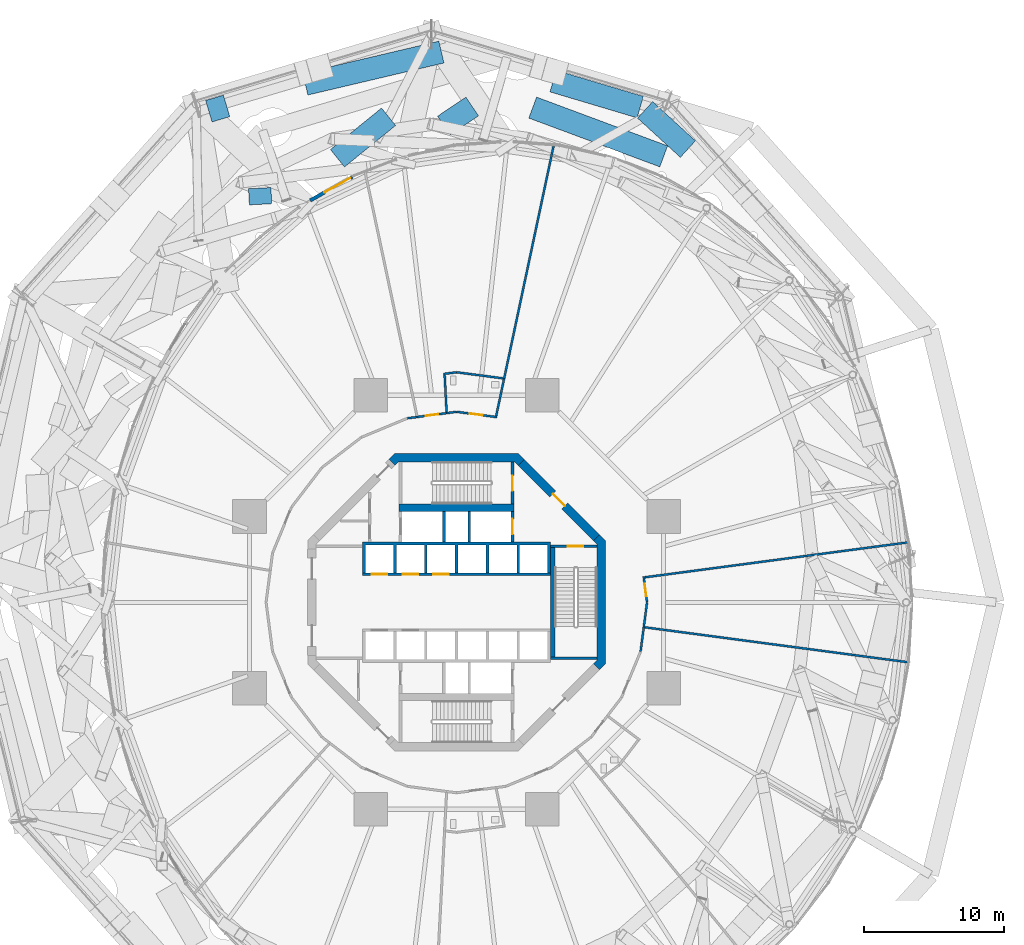
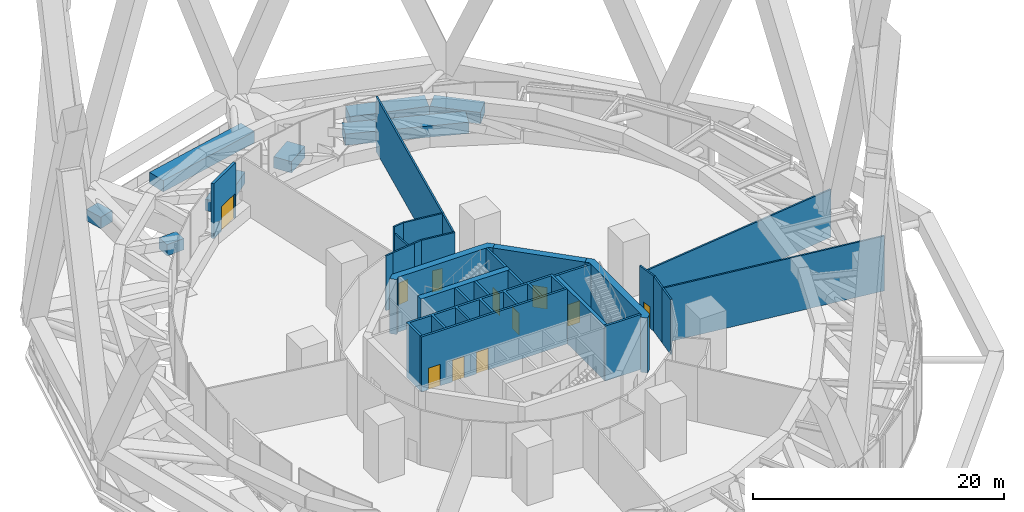
# One storey, part 41 of 51: 36 walls, 11 doors, 11 openings.
"""IFC4 building model written with IfcOpenShell, lengths in metres."""

import ifcopenshell
import ifcopenshell.guid

model = None  # the IFC model being written
_history = None  # IfcOwnerHistory: only IFC2X3 demands one
_inside = {}  # id of a spatial element -> (the spatial element, [elements in it])
_under = {}  # id of a project, library or spatial element -> (it, [spatial elements below it])
_declared = {}  # id of a project -> (the project, [libraries it declares])
_typed = {}  # id of a type object -> (the type object, [elements of that type])
_made_of = {}  # id of a material, layer set ... -> (it, [elements and type objects made of it])


def new_model(schema):
    """Start an empty IFC model of exactly this schema.

    Asked for "IFC4X3", IfcOpenShell would pick the latest addendum, in which some entities
    have other attributes; the version numbers below select the first issue.
    IFC2X3 requires an IfcOwnerHistory on every rooted entity: one is made here for all.
    """
    global model, _history
    if schema == "IFC4X3":
        model = ifcopenshell.file(schema_version=(4, 3, 0, 0))
    else:
        model = ifcopenshell.file(schema=schema)
    _inside.clear()
    _under.clear()
    _declared.clear()
    _typed.clear()
    _made_of.clear()
    _history = None
    if model.schema == "IFC2X3":
        org = make("IfcOrganization", Name="unknown")
        user = make(
            "IfcPersonAndOrganization",
            ThePerson=make("IfcPerson", FamilyName="unknown"),
            TheOrganization=org,
        )
        app = make(
            "IfcApplication",
            ApplicationDeveloper=org,
            Version="unknown",
            ApplicationFullName="unknown",
            ApplicationIdentifier="unknown",
        )
        _history = make(
            "IfcOwnerHistory",
            OwningUser=user,
            OwningApplication=app,
            ChangeAction="ADDED",
            CreationDate=0,
        )
    return model


def make(cls, **values):
    """One entity of the class cls with the attributes given. An attribute that is None is left unset."""
    return model.create_entity(
        cls, **{name: value for name, value in values.items() if value is not None}
    )


def rooted(cls, **values):
    """An entity with a GlobalId (a new one), such as an element, a storey or a relation."""
    return make(cls, GlobalId=ifcopenshell.guid.new(), OwnerHistory=_history, **values)


def si_unit(unit_type, name, prefix=None):
    """IfcSIUnit, for example si_unit("LENGTHUNIT", "METRE", prefix="MILLI")."""
    return make("IfcSIUnit", UnitType=unit_type, Prefix=prefix, Name=name)


def assignment(units):
    """IfcUnitAssignment: the units of a project."""
    return None if units is None else make("IfcUnitAssignment", Units=units)


def point(xyz):
    """IfcCartesianPoint."""
    return None if xyz is None else make("IfcCartesianPoint", Coordinates=xyz)


def direction(xyz):
    """IfcDirection."""
    return None if xyz is None else make("IfcDirection", DirectionRatios=xyz)


def frame(location, z_axis=None, x_axis=None):
    """IfcAxis2Placement3D, a coordinate frame: its origin and axes. An axis left out is left unset."""
    return make(
        "IfcAxis2Placement3D",
        Location=point(location),
        Axis=direction(z_axis),
        RefDirection=direction(x_axis),
    )


def frame_2d(location, x_axis=None):
    """IfcAxis2Placement2D, a coordinate frame in the plane: its origin and x axis."""
    return make(
        "IfcAxis2Placement2D", Location=point(location), RefDirection=direction(x_axis)
    )


def origin():
    """The frame at (0, 0, 0) with its axes left unset."""
    return frame((0.0, 0.0, 0.0))


def place(relative_to, where):
    """IfcLocalPlacement: puts the frame where relative to a parent placement (None: the world)."""
    return make(
        "IfcLocalPlacement", PlacementRelTo=relative_to, RelativePlacement=where
    )


def context(
    kind, dimensions, precision=None, world=None, true_north=None, identifier=None
):
    """IfcGeometricRepresentationContext, for example the 3D "Model" context."""
    return make(
        "IfcGeometricRepresentationContext",
        ContextIdentifier=identifier,
        ContextType=kind,
        CoordinateSpaceDimension=dimensions,
        Precision=precision,
        WorldCoordinateSystem=world,
        TrueNorth=true_north,
    )


def subcontext(parent, identifier, kind, view, scale=None):
    """IfcGeometricRepresentationSubContext, for example "Body" below "Model"."""
    return make(
        "IfcGeometricRepresentationSubContext",
        ContextIdentifier=identifier,
        ContextType=kind,
        ParentContext=parent,
        TargetScale=scale,
        TargetView=view,
    )


def project(units=None, contexts=None):
    """IfcProject with its units and contexts."""
    return rooted(
        "IfcProject",
        Name="project",
        RepresentationContexts=contexts,
        UnitsInContext=assignment(units),
    )


def spatial(cls, under=None, at=None, **own):
    """A site, building, storey or space (cls), placed at a placement, below another one or the project."""
    s = rooted(cls, ObjectPlacement=at, **own)
    if under is not None:
        _under.setdefault(under.id(), (under, []))[1].append(s)
    return s


def polyline(points):
    """IfcPolyline through the points."""
    return make("IfcPolyline", Points=[point(p) for p in points])


def profile(cls, at=None, kind="AREA", **sizes):
    """A parametric profile (cls). Its sizes go by their IFC names, for example OverallWidth=200.0."""
    return make(cls, ProfileType=kind, Position=at, **sizes)


def rectangle(**sizes):
    """IfcRectangleProfileDef."""
    return profile("IfcRectangleProfileDef", **sizes)


def outline(outer, holes=None, kind="AREA"):
    """IfcArbitraryClosedProfileDef: a profile drawn as a closed curve; with holes, ...WithVoids."""
    if holes is None:
        return make("IfcArbitraryClosedProfileDef", ProfileType=kind, OuterCurve=outer)
    return make(
        "IfcArbitraryProfileDefWithVoids",
        ProfileType=kind,
        OuterCurve=outer,
        InnerCurves=holes,
    )


def extrude(swept, where, along, depth):
    """IfcExtrudedAreaSolid: the profile swept, set in the frame where, extruded along a direction by depth."""
    return make(
        "IfcExtrudedAreaSolid",
        SweptArea=swept,
        Position=where,
        ExtrudedDirection=direction(along),
        Depth=depth,
    )


def shape(context_of_items, identifier, shape_type, items):
    """IfcShapeRepresentation: the items that make up one representation, for example the "Body"."""
    return make(
        "IfcShapeRepresentation",
        ContextOfItems=context_of_items,
        RepresentationIdentifier=identifier,
        RepresentationType=shape_type,
        Items=items,
    )


def material(Name=None, Category=None):
    """IfcMaterial."""
    return make("IfcMaterial", Name=Name, Category=Category)


def layer(
    of_material, thickness, ventilated=None, Name=None, Category=None, Priority=None
):
    """IfcMaterialLayer: one layer of a wall or slab, of a material (None: an air gap)."""
    return make(
        "IfcMaterialLayer",
        Material=of_material,
        LayerThickness=thickness,
        IsVentilated=ventilated,
        Name=Name,
        Category=Category,
        Priority=Priority,
    )


def layer_set(layers, Name=None):
    """IfcMaterialLayerSet."""
    return make("IfcMaterialLayerSet", MaterialLayers=layers, LayerSetName=Name)


def made_of(thing, what):
    """Note that an element or type object is made of a material, layer set ...; save() writes the relation."""
    if what is not None:
        _made_of.setdefault(what.id(), (what, []))[1].append(thing)
    return thing


def type_object(cls, material=None, **own):
    """A type object (cls), such as IfcWallType, which elements share."""
    return made_of(rooted(cls, **own), material)


def element(
    cls,
    number,
    at=None,
    inside=None,
    cuts=None,
    type_object=None,
    material=None,
    context=None,
    identifier="Body",
    shape_type=None,
    held_by="IfcProductDefinitionShape",
    body=None,
    shapes=None,
    **own,
):
    """One element of the class cls, such as IfcWall. Its Tag is "e" and its number.

    at: its placement. inside: the storey or other place that contains it. cuts: it is an
    opening in that element (IfcRelVoidsElement). A single representation is given by context,
    identifier, shape_type and body (its items); several are given by shapes. held_by: the class
    of the entity that holds the representations. save() writes the other relations.
    """
    e = rooted(cls, Tag="e%d" % number, ObjectPlacement=at, **own)
    if body is not None:
        shapes = [shape(context, identifier, shape_type, body)]
    if shapes is not None:
        e.Representation = make(held_by, Representations=shapes)
    if inside is not None:
        _inside.setdefault(inside.id(), (inside, []))[1].append(e)
    if cuts is not None:
        rooted(
            "IfcRelVoidsElement", RelatingBuildingElement=cuts, RelatedOpeningElement=e
        )
    if type_object is not None:
        _typed.setdefault(type_object.id(), (type_object, []))[1].append(e)
    return made_of(e, material)


def fill(opening, filler):
    """IfcRelFillsElement: the door or window that sits in an opening."""
    return rooted(
        "IfcRelFillsElement",
        RelatingOpeningElement=opening,
        RelatedBuildingElement=filler,
    )


def aggregate(whole, parts):
    """IfcRelAggregates: a whole, such as a stair, and the parts it consists of."""
    return rooted("IfcRelAggregates", RelatingObject=whole, RelatedObjects=parts)


def save(model, path):
    """Write the relations noted so far, then the file.

    IfcRelAggregates (storeys below a building ...), IfcRelContainedInSpatialStructure (elements
    in a storey), IfcRelDefinesByType, IfcRelAssociatesMaterial and IfcRelDeclares: one each for
    every whole, place, type object, material and project.
    """
    for whole, parts in _under.values():
        aggregate(whole, parts)
    for where, things in _inside.values():
        rooted(
            "IfcRelContainedInSpatialStructure",
            RelatedElements=things,
            RelatingStructure=where,
        )
    for kind, things in _typed.values():
        rooted("IfcRelDefinesByType", RelatedObjects=things, RelatingType=kind)
    for what, things in _made_of.values():
        rooted("IfcRelAssociatesMaterial", RelatedObjects=things, RelatingMaterial=what)
    for by, libraries in _declared.values():
        rooted("IfcRelDeclares", RelatingContext=by, RelatedDefinitions=libraries)
    model.write(path)


model = new_model("IFC4")

# Units and contexts
model_context = context("Model", 3, precision=1e-05, world=origin(), true_north=direction((0.0, 1.0)))
body_context = subcontext(model_context, "Body", "Model", "MODEL_VIEW")
ifc_project = project(units=[si_unit("LENGTHUNIT", "METRE"), si_unit("AREAUNIT", "SQUARE_METRE"), si_unit("VOLUMEUNIT", "CUBIC_METRE"), si_unit("PLANEANGLEUNIT", "RADIAN"), si_unit("MASSUNIT", "GRAM", prefix="KILO")], contexts=[model_context])

# Site, building, storey
site_placement = place(None, origin())
site = spatial("IfcSite", under=ifc_project, at=site_placement, CompositionType="ELEMENT")
building_placement = place(site_placement, origin())
building = spatial("IfcBuilding", under=site, at=building_placement, Name="Nagisa Residences", CompositionType="ELEMENT")
storey_placement = place(building_placement, frame((0.0, 0.0, 67.699951171875)))
storey = spatial("IfcBuildingStorey", under=building, at=storey_placement, Name="L16", CompositionType="ELEMENT", Elevation=67.699951171875)

# Wall, opening, door
ifc_material_1 = material(Name="Precast concrete C40/50", Category="concrete")
ifc_layer_1 = layer(ifc_material_1, 0.25)
ifc_layer_set_1 = layer_set([ifc_layer_1], Name="BALCONY DOOR WALL 250")
wall_type_1 = type_object("IfcWallType", Name="BALCONY DOOR WALL 250", PredefinedType="SOLIDWALL", material=ifc_layer_set_1)
wall_1_placement = place(storey_placement, frame((-10.4462890625, 28.68994140625, 0.0), z_axis=(0.0, 0.0, 1.0), x_axis=(0.872056886807, 0.489404522019, 0.0)))
wall_1 = element("IfcWall", 1, at=wall_1_placement, inside=storey, type_object=wall_type_1, Name="wall:L16:bay15", PredefinedType="SOLIDWALL", context=body_context, shape_type="SweptSolid", body=[
    extrude(rectangle(XDim=3.451171875, YDim=0.25, at=frame_2d((1.7255859375, 0.0))), origin(), (0.0, 0.0, 1.0), 5.340087890625),
])
opening_1_placement = place(wall_1_placement, frame((1.175537109375, 0.0, 0.0)))
opening_1 = element("IfcOpeningElement", 2, at=opening_1_placement, cuts=wall_1, Name="Opening BD-L16-01", PredefinedType="OPENING", context=body_context, shape_type="SweptSolid", body=[
    extrude(rectangle(XDim=2.10009765625, YDim=2.39990234375, at=frame_2d((1.050048828125, 1.199951171875))), frame((0.0, 0.135009765625, 0.0), z_axis=(0.0, -1.0, 0.0), x_axis=(1.0, 0.0, 0.0)), (0.0, 0.0, 1.0), 0.27001953125),
])
ifc_material_2 = material(Name="Aluminium and clear glass", Category="aluminium")
door_type_1 = type_object("IfcDoorType", Name="BALCONY SLIDING DOOR 2100x2400", OperationType="SLIDING_TO_LEFT", PredefinedType="DOOR", material=ifc_material_2)
door_1_placement = place(opening_1_placement, origin())
door_1 = element("IfcDoor", 3, at=door_1_placement, inside=storey, type_object=door_type_1, Name="door:L16:bay15", OperationType="SLIDING_TO_LEFT", OverallHeight=2.39990234375, OverallWidth=2.10009765625, PredefinedType="DOOR", context=body_context, shape_type="SweptSolid", body=[
    extrude(rectangle(XDim=2.10009765625, YDim=2.39990234375, at=frame_2d((1.050048828125, 1.199951171875))), frame((0.0, 0.02490234375, 0.0), z_axis=(0.0, -1.0, 0.0), x_axis=(1.0, 0.0, 0.0)), (0.0, 0.0, 1.0), 0.050048828125),
])
fill(opening_1, door_1)

ifc_material_3 = material(Name="Concrete C60", Category="concrete")
ifc_layer_2 = layer(ifc_material_3, 0.60009765625)
ifc_layer_set_2 = layer_set([ifc_layer_2], Name="Core shear wall 600")
wall_type_2 = type_object("IfcWallType", Name="Core shear wall 600", PredefinedType="SHEAR", material=ifc_layer_set_2)
wall_2_placement = place(storey_placement, frame((9.98828125, 4.613037109375, 0.0), z_axis=(0.0, 0.0, 1.0), x_axis=(-0.707106781187, 0.707106781187, 0.0)))
wall_2 = element("IfcWall", 4, at=wall_2_placement, inside=storey, type_object=wall_type_2, Name="wall:L16:core:flat1", PredefinedType="SHEAR", context=body_context, shape_type="SweptSolid", body=[
    extrude(rectangle(XDim=7.601806640625, YDim=0.60009765625, at=frame_2d((3.80078125, 0.0))), origin(), (0.0, 0.0, 1.0), 5.340087890625),
])
opening_2_placement = place(wall_2_placement, frame((3.200927734375, 0.0, 0.0)))
opening_2 = element("IfcOpeningElement", 5, at=opening_2_placement, cuts=wall_2, Name="Opening L16-C16", PredefinedType="OPENING", context=body_context, shape_type="SweptSolid", body=[
    extrude(rectangle(XDim=1.199951171875, YDim=2.10009765625, at=frame_2d((0.60009765625, 1.050048828125))), frame((0.0, 0.31005859375, 0.0), z_axis=(0.0, -1.0, 0.0), x_axis=(1.0, 0.0, 0.0)), (0.0, 0.0, 1.0), 0.6201171875),
])
ifc_material_4 = material(Name="Steel fire door", Category="steel")
door_type_2 = type_object("IfcDoorType", Name="Fire door EI60 1200x2100 single swing", OperationType="NOTDEFINED", PredefinedType="DOOR", material=ifc_material_4)
door_2_placement = place(opening_2_placement, origin())
door_2 = element("IfcDoor", 6, at=door_2_placement, inside=storey, type_object=door_type_2, Name="Firefighting lobby 1 door L16", OperationType="SINGLE_SWING_LEFT", OverallHeight=2.10009765625, OverallWidth=1.199951171875, PredefinedType="DOOR", context=body_context, shape_type="SweptSolid", body=[
    extrude(rectangle(XDim=1.199951171875, YDim=2.10009765625, at=frame_2d((0.60009765625, 1.050048828125))), frame((0.0, 0.02490234375, 0.0), z_axis=(0.0, -1.0, 0.0), x_axis=(1.0, 0.0, 0.0)), (0.0, 0.0, 1.0), 0.050048828125),
])
fill(opening_2, door_2)

# Walls
wall_3_placement = place(storey_placement, origin())
element("IfcWall", 7, at=wall_3_placement, inside=storey, type_object=wall_type_2, Name="wall:L16:core:flat2", PredefinedType="SHEAR", context=body_context, shape_type="SweptSolid", body=[
    extrude(outline(polyline([(-4.15234375, 10.024658203125), (-4.40087890625, 9.776123046875), (-4.8251953125, 10.200439453125), (-4.40087890625, 10.62451171875), (4.40087890625, 10.62451171875), (4.8251953125, 10.200439453125), (4.40087890625, 9.776123046875), (4.15234375, 10.024658203125), (-4.15234375, 10.024658203125)])), origin(), (0.0, 0.0, 1.0), 5.340087890625),
])
wall_4_placement = place(storey_placement, origin())
element("IfcWall", 8, at=wall_4_placement, inside=storey, type_object=wall_type_2, Name="wall:L16:core:flat0", PredefinedType="SHEAR", context=body_context, shape_type="SweptSolid", body=[
    extrude(outline(polyline([(9.776123046875, -4.40087890625), (10.024658203125, -4.15234375), (10.024658203125, -3.801025390625), (10.024658203125, 4.15234375), (9.776123046875, 4.40087890625), (10.200439453125, 4.8251953125), (10.62451171875, 4.40087890625), (10.62451171875, -4.40087890625), (10.200439453125, -4.8251953125), (9.776123046875, -4.40087890625)])), origin(), (0.0, 0.0, 1.0), 5.340087890625),
])

# Wall, opening, door
ifc_material_5 = material(Name="Concrete C60", Category="concrete")
ifc_layer_3 = layer(ifc_material_5, 0.199951171875)
ifc_layer_set_3 = layer_set([ifc_layer_3], Name="Lift shaft wall 200")
wall_type_3 = type_object("IfcWallType", Name="Lift shaft wall 200", PredefinedType="SOLIDWALL", material=ifc_layer_set_3)
wall_5_placement = place(storey_placement, frame((4.0, 4.300048828125, 0.0), z_axis=(0.0, 0.0, 1.0), x_axis=(0.0, 1.0, 0.0)))
wall_5 = element("IfcWall", 9, at=wall_5_placement, inside=storey, type_object=wall_type_3, Name="wall:L16:Nb3", PredefinedType="SOLIDWALL", context=body_context, shape_type="SweptSolid", body=[
    extrude(rectangle(XDim=2.199951171875, YDim=0.199951171875, at=frame_2d((1.10009765625, 0.0))), origin(), (0.0, 0.0, 1.0), 5.340087890625),
])
opening_3_placement = place(wall_5_placement, frame((0.550048828125, 0.0, 0.0)))
opening_3 = element("IfcOpeningElement", 10, at=opening_3_placement, cuts=wall_5, Name="Opening L16-C06", PredefinedType="OPENING", context=body_context, shape_type="SweptSolid", body=[
    extrude(rectangle(XDim=1.10009765625, YDim=2.10009765625, at=frame_2d((0.550048828125, 1.050048828125))), frame((0.0, 0.10986328125, 0.0), z_axis=(0.0, -1.0, 0.0), x_axis=(1.0, 0.0, 0.0)), (0.0, 0.0, 1.0), 0.219970703125),
])
ifc_material_6 = material(Name="Stainless steel", Category="steel")
door_type_3 = type_object("IfcDoorType", Name="Lift landing door 1100x2100", OperationType="DOUBLE_DOOR_SLIDING", PredefinedType="DOOR", material=ifc_material_6)
door_3_placement = place(opening_3_placement, origin())
door_3 = element("IfcDoor", 11, at=door_3_placement, inside=storey, type_object=door_type_3, Name="Landing door FL1 L16", OperationType="DOUBLE_DOOR_SLIDING", OverallHeight=2.10009765625, OverallWidth=1.10009765625, PredefinedType="DOOR", context=body_context, shape_type="SweptSolid", body=[
    extrude(rectangle(XDim=1.10009765625, YDim=2.10009765625, at=frame_2d((0.550048828125, 1.050048828125))), frame((0.0, 0.02490234375, 0.0), z_axis=(0.0, -1.0, 0.0), x_axis=(1.0, 0.0, 0.0)), (0.0, 0.0, 1.0), 0.050048828125),
])
fill(opening_3, door_3)

# Wall, openings, doors
wall_6_placement = place(storey_placement, frame((-6.699951171875, 2.0, 0.0), z_axis=(0.0, 0.0, 1.0), x_axis=(1.0, 0.0, 0.0)))
wall_6 = element("IfcWall", 12, at=wall_6_placement, inside=storey, type_object=wall_type_3, Name="wall:L16:Nfront", PredefinedType="SOLIDWALL", context=body_context, shape_type="SweptSolid", body=[
    extrude(rectangle(XDim=13.39990234375, YDim=0.199951171875, at=frame_2d((6.699951171875, 0.0))), origin(), (0.0, 0.0, 1.0), 5.340087890625),
])
opening_4_placement = place(wall_6_placement, frame((0.64990234375, 0.0, 0.0)))
opening_4 = element("IfcOpeningElement", 13, at=opening_4_placement, cuts=wall_6, Name="Opening L16-C01", PredefinedType="OPENING", context=body_context, shape_type="SweptSolid", body=[
    extrude(rectangle(XDim=1.10009765625, YDim=2.10009765625, at=frame_2d((0.550048828125, 1.050048828125))), frame((0.0, 0.10986328125, 0.0), z_axis=(0.0, -1.0, 0.0), x_axis=(1.0, 0.0, 0.0)), (0.0, 0.0, 1.0), 0.219970703125),
])
opening_5_placement = place(wall_6_placement, frame((2.85009765625, 0.0, 0.0)))
opening_5 = element("IfcOpeningElement", 14, at=opening_5_placement, cuts=wall_6, Name="Opening L16-C02", PredefinedType="OPENING", context=body_context, shape_type="SweptSolid", body=[
    extrude(rectangle(XDim=1.10009765625, YDim=2.10009765625, at=frame_2d((0.550048828125, 1.050048828125))), frame((0.0, 0.10986328125, 0.0), z_axis=(0.0, -1.0, 0.0), x_axis=(1.0, 0.0, 0.0)), (0.0, 0.0, 1.0), 0.219970703125),
])
opening_6_placement = place(wall_6_placement, frame((5.050048828125, 0.0, 0.0)))
opening_6 = element("IfcOpeningElement", 15, at=opening_6_placement, cuts=wall_6, Name="Opening L16-C03", PredefinedType="OPENING", context=body_context, shape_type="SweptSolid", body=[
    extrude(rectangle(XDim=1.10009765625, YDim=2.10009765625, at=frame_2d((0.550048828125, 1.050048828125))), frame((0.0, 0.10986328125, 0.0), z_axis=(0.0, -1.0, 0.0), x_axis=(1.0, 0.0, 0.0)), (0.0, 0.0, 1.0), 0.219970703125),
])
door_4_placement = place(opening_4_placement, origin())
door_4 = element("IfcDoor", 16, at=door_4_placement, inside=storey, type_object=door_type_3, Name="Landing door A1 L16", OperationType="DOUBLE_DOOR_SLIDING", OverallHeight=2.10009765625, OverallWidth=1.10009765625, PredefinedType="DOOR", context=body_context, shape_type="SweptSolid", body=[
    extrude(rectangle(XDim=1.10009765625, YDim=2.10009765625, at=frame_2d((0.550048828125, 1.050048828125))), frame((0.0, 0.02490234375, 0.0), z_axis=(0.0, -1.0, 0.0), x_axis=(1.0, 0.0, 0.0)), (0.0, 0.0, 1.0), 0.050048828125),
])
fill(opening_4, door_4)
door_5_placement = place(opening_5_placement, origin())
door_5 = element("IfcDoor", 17, at=door_5_placement, inside=storey, type_object=door_type_3, Name="Landing door A2 L16", OperationType="DOUBLE_DOOR_SLIDING", OverallHeight=2.10009765625, OverallWidth=1.10009765625, PredefinedType="DOOR", context=body_context, shape_type="SweptSolid", body=[
    extrude(rectangle(XDim=1.10009765625, YDim=2.10009765625, at=frame_2d((0.550048828125, 1.050048828125))), frame((0.0, 0.02490234375, 0.0), z_axis=(0.0, -1.0, 0.0), x_axis=(1.0, 0.0, 0.0)), (0.0, 0.0, 1.0), 0.050048828125),
])
fill(opening_5, door_5)
door_6_placement = place(opening_6_placement, origin())
door_6 = element("IfcDoor", 18, at=door_6_placement, inside=storey, type_object=door_type_3, Name="Landing door A3 L16", OperationType="DOUBLE_DOOR_SLIDING", OverallHeight=2.10009765625, OverallWidth=1.10009765625, PredefinedType="DOOR", context=body_context, shape_type="SweptSolid", body=[
    extrude(rectangle(XDim=1.10009765625, YDim=2.10009765625, at=frame_2d((0.550048828125, 1.050048828125))), frame((0.0, 0.02490234375, 0.0), z_axis=(0.0, -1.0, 0.0), x_axis=(1.0, 0.0, 0.0)), (0.0, 0.0, 1.0), 0.050048828125),
])
fill(opening_6, door_6)

# Walls
for number, where, z_axis, x_axis, name in (
    (19, (-0.89990234375, 4.300048828125, 0.0), (0.0, 0.0, 1.0), (0.0, 1.0, 0.0), "wall:L16:Nb1"),
    (20, (0.89990234375, 4.300048828125, 0.0), (0.0, 0.0, 1.0), (0.0, 1.0, 0.0), "wall:L16:Nb2"),
):
    element("IfcWall", number, at=place(storey_placement, frame(where, z_axis=z_axis, x_axis=x_axis)), inside=storey, type_object=wall_type_3, Name=name, PredefinedType="SOLIDWALL", context=body_context, shape_type="SweptSolid", body=[
        extrude(rectangle(XDim=2.199951171875, YDim=0.199951171875, at=frame_2d((1.10009765625, 0.0))), origin(), (0.0, 0.0, 1.0), 5.340087890625),
    ])
wall_7_placement = place(storey_placement, origin())
element("IfcWall", 21, at=wall_7_placement, inside=storey, type_object=wall_type_3, Name="wall:L16:Nback", PredefinedType="SOLIDWALL", context=body_context, shape_type="SweptSolid", body=[
    extrude(outline(polyline([(-6.5, 2.10009765625), (-6.699951171875, 2.10009765625), (-6.699951171875, 4.300048828125), (6.699951171875, 4.300048828125), (6.699951171875, 2.10009765625), (6.5, 2.10009765625), (6.5, 4.10009765625), (4.5, 4.10009765625), (4.5, 2.10009765625), (4.300048828125, 2.10009765625), (4.300048828125, 4.10009765625), (2.300048828125, 4.10009765625), (2.300048828125, 2.10009765625), (2.10009765625, 2.10009765625), (2.10009765625, 4.10009765625), (0.10009765625, 4.10009765625), (0.10009765625, 2.10009765625), (-0.10009765625, 2.10009765625), (-0.10009765625, 4.10009765625), (-2.10009765625, 4.10009765625), (-2.10009765625, 2.10009765625), (-2.300048828125, 2.10009765625), (-2.300048828125, 4.10009765625), (-4.300048828125, 4.10009765625), (-4.300048828125, 2.10009765625), (-4.5, 2.10009765625), (-4.5, 4.10009765625), (-6.5, 4.10009765625), (-6.5, 2.10009765625)])), origin(), (0.0, 0.0, 1.0), 5.340087890625),
])
ifc_material_7 = material(Name="Precast concrete C30/37", Category="concrete")
ifc_layer_4 = layer(ifc_material_7, 1.60009765625)
ifc_layer_set_4 = layer_set([ifc_layer_4], Name="PLANTER")
wall_type_4 = type_object("IfcWallType", Name="PLANTER", PredefinedType="SOLIDWALL", material=ifc_layer_set_4)
wall_8_placement = place(storey_placement, frame((-17.687744140625, 35.06103515625, 0.0), z_axis=(0.0, 0.0, 1.0), x_axis=(0.958261202885, 0.285894153571, 0.0)))
element("IfcWall", 22, at=wall_8_placement, inside=storey, type_object=wall_type_4, Name="planter:L16:deck013", PredefinedType="SOLIDWALL", context=body_context, shape_type="SweptSolid", body=[
    extrude(rectangle(XDim=1.325439453125, YDim=1.60009765625, at=frame_2d((0.66259765625, 0.0))), origin(), (0.0, 0.0, 1.0), 1.10009765625),
])
wall_9_placement = place(storey_placement, frame((-14.053955078125, 29.568603515625, 0.0), z_axis=(0.0, 0.0, 1.0), x_axis=(0.053423282948, -0.998571956766, 0.0)))
element("IfcWall", 23, at=wall_9_placement, inside=storey, type_object=wall_type_4, Name="planter:L16:deck014", PredefinedType="SOLIDWALL", context=body_context, shape_type="SweptSolid", body=[
    extrude(rectangle(XDim=1.15625, YDim=1.60009765625, at=frame_2d((0.578125, 0.0))), origin(), (0.0, 0.0, 1.0), 1.10009765625),
])
wall_10_placement = place(storey_placement, frame((-10.798583984375, 36.99658203125, 0.0), z_axis=(0.0, 0.0, 1.0), x_axis=(0.973419092506, 0.229031155837, 0.0)))
element("IfcWall", 24, at=wall_10_placement, inside=storey, type_object=wall_type_4, Name="planter:L16:deck016", PredefinedType="SOLIDWALL", context=body_context, shape_type="SweptSolid", body=[
    extrude(rectangle(XDim=9.98388671875, YDim=1.60009765625, at=frame_2d((4.991943359375, 0.0))), origin(), (0.0, 0.0, 1.0), 1.10009765625),
])
wall_11_placement = place(storey_placement, frame((-4.852294921875, 34.665283203125, 0.0), z_axis=(0.0, 0.0, 1.0), x_axis=(-0.776366420749, -0.630281826434, 0.0)))
element("IfcWall", 25, at=wall_11_placement, inside=storey, type_object=wall_type_4, Name="planter:L16:deck017", PredefinedType="SOLIDWALL", context=body_context, shape_type="SweptSolid", body=[
    extrude(rectangle(XDim=4.702880859375, YDim=1.60009765625, at=frame_2d((2.3515625, 0.0))), origin(), (0.0, 0.0, 1.0), 1.10009765625),
])
wall_12_placement = place(storey_placement, frame((1.117919921875, 35.3994140625, 0.0), z_axis=(0.0, 0.0, 1.0), x_axis=(-0.830643837781, -0.556804108064, 0.0)))
element("IfcWall", 26, at=wall_12_placement, inside=storey, type_object=wall_type_4, Name="planter:L16:deck018", PredefinedType="SOLIDWALL", context=body_context, shape_type="SweptSolid", body=[
    extrude(rectangle(XDim=2.434814453125, YDim=1.60009765625, at=frame_2d((1.21728515625, 0.0))), origin(), (0.0, 0.0, 1.0), 1.10009765625),
])
wall_13_placement = place(storey_placement, frame((6.8955078125, 37.207275390625, 0.0), z_axis=(0.0, 0.0, 1.0), x_axis=(0.95824779371, -0.285939094652, 0.0)))
element("IfcWall", 27, at=wall_13_placement, inside=storey, type_object=wall_type_4, Name="planter:L16:deck019", PredefinedType="SOLIDWALL", context=body_context, shape_type="SweptSolid", body=[
    extrude(rectangle(XDim=6.48828125, YDim=1.60009765625, at=frame_2d((3.244140625, 0.0))), origin(), (0.0, 0.0, 1.0), 1.10009765625),
])
wall_14_placement = place(storey_placement, frame((13.4580078125, 35.15625, 0.0), z_axis=(0.0, 0.0, 1.0), x_axis=(0.737628171865, -0.67520713864, 0.0)))
element("IfcWall", 28, at=wall_14_placement, inside=storey, type_object=wall_type_4, Name="planter:L16:deck020", PredefinedType="SOLIDWALL", context=body_context, shape_type="SweptSolid", body=[
    extrude(rectangle(XDim=4.145751953125, YDim=1.60009765625, at=frame_2d((2.07275390625, 0.0))), origin(), (0.0, 0.0, 1.0), 1.10009765625),
])
wall_15_placement = place(storey_placement, frame((14.789306640625, 31.837646484375, 0.0), z_axis=(0.0, 0.0, 1.0), x_axis=(-0.937198795284, 0.348795668148, 0.0)))
element("IfcWall", 29, at=wall_15_placement, inside=storey, type_object=wall_type_4, Name="planter:L16:deck021", PredefinedType="SOLIDWALL", context=body_context, shape_type="SweptSolid", body=[
    extrude(rectangle(XDim=9.9814453125, YDim=1.60009765625, at=frame_2d((4.99072265625, 0.0))), origin(), (0.0, 0.0, 1.0), 1.10009765625),
])
ifc_material_8 = material(Name="Gypsum board on steel studs", Category="steel")
ifc_layer_5 = layer(ifc_material_8, 0.14990234375)
ifc_layer_set_5 = layer_set([ifc_layer_5], Name="Room partition EI60 150")
wall_type_5 = type_object("IfcWallType", Name="Room partition EI60 150", PredefinedType="PARTITIONING", material=ifc_layer_set_5)
wall_16_placement = place(storey_placement, frame((-3.508056640625, 13.13818359375, 0.0), z_axis=(0.0, 0.0, 1.0), x_axis=(0.991460212813, 0.130409533429, 0.0)))
element("IfcWall", 30, at=wall_16_placement, inside=storey, type_object=wall_type_5, Name="wall:L16:am014", PredefinedType="PARTITIONING", context=body_context, shape_type="SweptSolid", body=[
    extrude(rectangle(XDim=0.7021484375, YDim=0.14990234375, at=frame_2d((0.35107421875, 0.0))), origin(), (0.0, 0.0, 1.0), 5.340087890625),
])

# Wall, opening, door
wall_17_placement = place(storey_placement, frame((-2.81201171875, 13.229736328125, 0.0), z_axis=(0.0, 0.0, 1.0), x_axis=(0.991438625664, 0.130573548402, 0.0)))
wall_17 = element("IfcWall", 31, at=wall_17_placement, inside=storey, type_object=wall_type_5, Name="wall:L16:am016", PredefinedType="PARTITIONING", context=body_context, shape_type="SweptSolid", body=[
    extrude(rectangle(XDim=2.1220703125, YDim=0.14990234375, at=frame_2d((1.06103515625, 0.0))), origin(), (0.0, 0.0, 1.0), 5.340087890625),
])
opening_7_placement = place(wall_17_placement, frame((0.611083984375, 0.0, 0.0)))
opening_7 = element("IfcOpeningElement", 32, at=opening_7_placement, cuts=wall_17, Name="Opening L16-A02", PredefinedType="OPENING", context=body_context, shape_type="SweptSolid", body=[
    extrude(rectangle(XDim=0.89990234375, YDim=2.10009765625, at=frame_2d((0.449951171875, 1.050048828125))), frame((0.0, 0.0849609375, 0.0), z_axis=(0.0, -1.0, 0.0), x_axis=(1.0, 0.0, 0.0)), (0.0, 0.0, 1.0), 0.169921875),
])
ifc_material_9 = material(Name="Steel fire door", Category="steel")
door_type_4 = type_object("IfcDoorType", Name="Fire door EI30 900x2100 single swing", OperationType="NOTDEFINED", PredefinedType="DOOR", material=ifc_material_9)
door_7_placement = place(opening_7_placement, frame((0.89990234375, 0.0, 0.0), x_axis=(-1.0, 0.0, 0.0)))
door_7 = element("IfcDoor", 33, at=door_7_placement, inside=storey, type_object=door_type_4, Name="Sky garden club door", OperationType="SINGLE_SWING_LEFT", OverallHeight=2.10009765625, OverallWidth=0.89990234375, PredefinedType="DOOR", context=body_context, shape_type="SweptSolid", body=[
    extrude(rectangle(XDim=0.89990234375, YDim=2.10009765625, at=frame_2d((0.449951171875, 1.050048828125))), frame((0.0, 0.02490234375, 0.0), z_axis=(0.0, -1.0, 0.0), x_axis=(1.0, 0.0, 0.0)), (0.0, 0.0, 1.0), 0.050048828125),
])
fill(opening_7, door_7)

# Walls
wall_18_placement = place(storey_placement, frame((-0.929443359375, 16.3017578125, 0.0), z_axis=(0.0, 0.0, 1.0), x_axis=(0.991440824405, 0.130556852376, 0.0)))
element("IfcWall", 34, at=wall_18_placement, inside=storey, type_object=wall_type_5, Name="wall:L16:am018", PredefinedType="PARTITIONING", context=body_context, shape_type="SweptSolid", body=[
    extrude(rectangle(XDim=0.925537109375, YDim=0.14990234375, at=frame_2d((0.462890625, 0.0))), origin(), (0.0, 0.0, 1.0), 5.340087890625),
])
wall_19_placement = place(storey_placement, frame((-0.7119140625, 13.58203125, 0.0), z_axis=(0.0, 0.0, 1.0), x_axis=(-0.05235154686, 0.998628717563, 0.0)))
element("IfcWall", 35, at=wall_19_placement, inside=storey, type_object=wall_type_5, Name="wall:L16:am021", PredefinedType="PARTITIONING", context=body_context, shape_type="SweptSolid", body=[
    extrude(rectangle(XDim=2.658203125, YDim=0.14990234375, at=frame_2d((1.3291015625, 0.0))), origin(), (0.0, 0.0, 1.0), 4.662109375),
])
wall_20_placement = place(storey_placement, frame((-0.7080078125, 13.5068359375, 0.0), z_axis=(0.0, 0.0, 1.0), x_axis=(0.991466123966, 0.130364585024, 0.0)))
element("IfcWall", 36, at=wall_20_placement, inside=storey, type_object=wall_type_5, Name="wall:L16:am022", PredefinedType="PARTITIONING", context=body_context, shape_type="SweptSolid", body=[
    extrude(rectangle(XDim=0.702392578125, YDim=0.14990234375, at=frame_2d((0.35107421875, 0.0))), origin(), (0.0, 0.0, 1.0), 5.340087890625),
])

# Wall, opening, door
wall_21_placement = place(storey_placement, frame((0.01171875, 13.598388671875, 0.0), z_axis=(0.0, 0.0, 1.0), x_axis=(0.991448563319, -0.13049807007, 0.0)))
wall_21 = element("IfcWall", 37, at=wall_21_placement, inside=storey, type_object=wall_type_5, Name="wall:L16:am025", PredefinedType="PARTITIONING", context=body_context, shape_type="SweptSolid", body=[
    extrude(rectangle(XDim=2.89990234375, YDim=0.14990234375, at=frame_2d((1.449951171875, 0.0))), origin(), (0.0, 0.0, 1.0), 5.340087890625),
])
opening_8_placement = place(wall_21_placement, frame((0.956298828125, 0.0, 0.0)))
opening_8 = element("IfcOpeningElement", 38, at=opening_8_placement, cuts=wall_21, Name="Opening L16-A01", PredefinedType="OPENING", context=body_context, shape_type="SweptSolid", body=[
    extrude(rectangle(XDim=0.89990234375, YDim=2.10009765625, at=frame_2d((0.449951171875, 1.050048828125))), frame((0.0, 0.0849609375, 0.0), z_axis=(0.0, -1.0, 0.0), x_axis=(1.0, 0.0, 0.0)), (0.0, 0.0, 1.0), 0.169921875),
])
door_8_placement = place(opening_8_placement, origin())
door_8 = element("IfcDoor", 39, at=door_8_placement, inside=storey, type_object=door_type_4, Name="Accessible WC door", OperationType="SINGLE_SWING_LEFT", OverallHeight=2.10009765625, OverallWidth=0.89990234375, PredefinedType="DOOR", context=body_context, shape_type="SweptSolid", body=[
    extrude(rectangle(XDim=0.89990234375, YDim=2.10009765625, at=frame_2d((0.449951171875, 1.050048828125))), frame((0.0, 0.02490234375, 0.0), z_axis=(0.0, -1.0, 0.0), x_axis=(1.0, 0.0, 0.0)), (0.0, 0.0, 1.0), 0.050048828125),
])
fill(opening_8, door_8)

# Walls
wall_22_placement = place(storey_placement, frame((0.01171875, 16.422607421875, 0.0), z_axis=(0.0, 0.0, 1.0), x_axis=(0.991441844339, -0.130549106827, 0.0)))
element("IfcWall", 40, at=wall_22_placement, inside=storey, type_object=wall_type_5, Name="wall:L16:am026", PredefinedType="PARTITIONING", context=body_context, shape_type="SweptSolid", body=[
    extrude(rectangle(XDim=3.338134765625, YDim=0.14990234375, at=frame_2d((1.6689453125, 0.0))), origin(), (0.0, 0.0, 1.0), 5.340087890625),
])
wall_23_placement = place(storey_placement, frame((2.82763671875, 13.303466796875, 0.0), z_axis=(0.0, 0.0, 1.0), x_axis=(0.207936738153, 0.978142276423, 0.0)))
element("IfcWall", 41, at=wall_23_placement, inside=storey, type_object=wall_type_5, Name="wall:L16:am029", PredefinedType="PARTITIONING", context=body_context, shape_type="SweptSolid", body=[
    extrude(rectangle(XDim=2.7333984375, YDim=0.14990234375, at=frame_2d((1.36669921875, 0.0))), origin(), (0.0, 0.0, 1.0), 5.340087890625),
])
wall_24_placement = place(storey_placement, frame((3.39599609375, 15.97705078125, 0.0), z_axis=(0.0, 0.0, 1.0), x_axis=(0.207917852081, 0.978146291097, 0.0)))
element("IfcWall", 42, at=wall_24_placement, inside=storey, type_object=wall_type_5, Name="wall:L16:am031", PredefinedType="PARTITIONING", context=body_context, shape_type="SweptSolid", body=[
    extrude(rectangle(XDim=17.046142578125, YDim=0.14990234375, at=frame_2d((8.52294921875, 0.0))), origin(), (0.0, 0.0, 1.0), 5.340087890625),
])
wall_25_placement = place(storey_placement, frame((13.366455078125, -1.774169921875, 0.0), z_axis=(0.0, 0.0, 1.0), x_axis=(-0.130526735914, -0.991444789795, 0.0)))
element("IfcWall", 43, at=wall_25_placement, inside=storey, type_object=wall_type_5, Name="wall:L16:am044", PredefinedType="PARTITIONING", context=body_context, shape_type="SweptSolid", body=[
    extrude(rectangle(XDim=1.748779296875, YDim=0.14990234375, at=frame_2d((0.87451171875, 0.0))), origin(), (0.0, 0.0, 1.0), 5.340087890625),
])
wall_26_placement = place(storey_placement, frame((13.440673828125, -1.783935546875, 0.0), z_axis=(0.0, 0.0, 1.0), x_axis=(0.991305479384, -0.131580570535, 0.0)))
element("IfcWall", 44, at=wall_26_placement, inside=storey, type_object=wall_type_5, Name="wall:L16:am045", PredefinedType="PARTITIONING", context=body_context, shape_type="SweptSolid", body=[
    extrude(rectangle(XDim=18.9775390625, YDim=0.14990234375, at=frame_2d((9.48876953125, 0.0))), origin(), (0.0, 0.0, 1.0), 5.340087890625),
])

# Wall, opening, door
wall_27_placement = place(storey_placement, frame((13.356689453125, 1.848388671875, 0.0), z_axis=(0.0, 0.0, 1.0), x_axis=(0.130471558159, -0.991452052553, 0.0)))
wall_27 = element("IfcWall", 45, at=wall_27_placement, inside=storey, type_object=wall_type_5, Name="wall:L16:am046", PredefinedType="PARTITIONING", context=body_context, shape_type="SweptSolid", body=[
    extrude(rectangle(XDim=1.8525390625, YDim=0.14990234375, at=frame_2d((0.92626953125, 0.0))), origin(), (0.0, 0.0, 1.0), 5.340087890625),
])
opening_9_placement = place(wall_27_placement, frame((0.519775390625, 0.0, 0.0)))
opening_9 = element("IfcOpeningElement", 46, at=opening_9_placement, cuts=wall_27, Name="Opening L16-A10", PredefinedType="OPENING", context=body_context, shape_type="SweptSolid", body=[
    extrude(rectangle(XDim=0.89990234375, YDim=2.10009765625, at=frame_2d((0.449951171875, 1.050048828125))), frame((0.0, 0.0849609375, 0.0), z_axis=(0.0, -1.0, 0.0), x_axis=(1.0, 0.0, 0.0)), (0.0, 0.0, 1.0), 0.169921875),
])
door_9_placement = place(opening_9_placement, origin())
door_9 = element("IfcDoor", 47, at=door_9_placement, inside=storey, type_object=door_type_4, Name="Club services store door", OperationType="SINGLE_SWING_RIGHT", OverallHeight=2.10009765625, OverallWidth=0.89990234375, PredefinedType="DOOR", context=body_context, shape_type="SweptSolid", body=[
    extrude(rectangle(XDim=0.89990234375, YDim=2.10009765625, at=frame_2d((0.449951171875, 1.050048828125))), frame((0.0, 0.02490234375, 0.0), z_axis=(0.0, -1.0, 0.0), x_axis=(1.0, 0.0, 0.0)), (0.0, 0.0, 1.0), 0.050048828125),
])
fill(opening_9, door_9)

# Walls
wall_28_placement = place(storey_placement, frame((13.598388671875, -0.01171875, 0.0), z_axis=(0.0, 0.0, 1.0), x_axis=(-0.130472275964, -0.991451958092, 0.0)))
element("IfcWall", 48, at=wall_28_placement, inside=storey, type_object=wall_type_5, Name="wall:L16:am047", PredefinedType="PARTITIONING", context=body_context, shape_type="SweptSolid", body=[
    extrude(rectangle(XDim=1.777587890625, YDim=0.14990234375, at=frame_2d((0.888671875, 0.0))), origin(), (0.0, 0.0, 1.0), 5.340087890625),
])
wall_29_placement = place(storey_placement, frame((32.253173828125, 4.281005859375, 0.0), z_axis=(0.0, 0.0, 1.0), x_axis=(-0.991305479384, -0.131580570535, 0.0)))
element("IfcWall", 49, at=wall_29_placement, inside=storey, type_object=wall_type_5, Name="wall:L16:am048", PredefinedType="PARTITIONING", context=body_context, shape_type="SweptSolid", body=[
    extrude(rectangle(XDim=18.9775390625, YDim=0.14990234375, at=frame_2d((9.48876953125, 0.0))), origin(), (0.0, 0.0, 1.0), 4.662109375),
])

# Wall, opening, door
ifc_material_10 = material(Name="Concrete C60", Category="concrete")
ifc_layer_6 = layer(ifc_material_10, 0.199951171875)
ifc_layer_set_6 = layer_set([ifc_layer_6], Name="Stair enclosure wall 200")
wall_type_6 = type_object("IfcWallType", Name="Stair enclosure wall 200", PredefinedType="SOLIDWALL", material=ifc_layer_set_6)
wall_30_placement = place(storey_placement, frame((6.699951171875, 4.0, 0.0), z_axis=(0.0, 0.0, 1.0), x_axis=(1.0, 0.0, 0.0)))
wall_30 = element("IfcWall", 50, at=wall_30_placement, inside=storey, type_object=wall_type_6, Name="wall:L16:SE_n", PredefinedType="SOLIDWALL", context=body_context, shape_type="SweptSolid", body=[
    extrude(rectangle(XDim=3.32470703125, YDim=0.199951171875, at=frame_2d((1.662353515625, 0.0))), origin(), (0.0, 0.0, 1.0), 5.340087890625),
])
opening_10_placement = place(wall_30_placement, frame((1.25, 0.0, 0.0)))
opening_10 = element("IfcOpeningElement", 51, at=opening_10_placement, cuts=wall_30, Name="Opening L16-C09", PredefinedType="OPENING", context=body_context, shape_type="SweptSolid", body=[
    extrude(rectangle(XDim=1.10009765625, YDim=2.10009765625, at=frame_2d((0.550048828125, 1.050048828125))), frame((0.0, 0.10986328125, 0.0), z_axis=(0.0, -1.0, 0.0), x_axis=(1.0, 0.0, 0.0)), (0.0, 0.0, 1.0), 0.219970703125),
])
ifc_material_11 = material(Name="Steel fire door", Category="steel")
door_type_5 = type_object("IfcDoorType", Name="Fire door EI90 1100x2100 single swing", OperationType="NOTDEFINED", PredefinedType="DOOR", material=ifc_material_11)
door_10_placement = place(opening_10_placement, frame((1.10009765625, 0.0, 0.0), x_axis=(-1.0, 0.0, 0.0)))
door_10 = element("IfcDoor", 52, at=door_10_placement, inside=storey, type_object=door_type_5, Name="Stair door ST-E L16", OperationType="SINGLE_SWING_LEFT", OverallHeight=2.10009765625, OverallWidth=1.10009765625, PredefinedType="DOOR", context=body_context, shape_type="SweptSolid", body=[
    extrude(rectangle(XDim=1.10009765625, YDim=2.10009765625, at=frame_2d((0.550048828125, 1.050048828125))), frame((0.0, 0.02490234375, 0.0), z_axis=(0.0, -1.0, 0.0), x_axis=(1.0, 0.0, 0.0)), (0.0, 0.0, 1.0), 0.050048828125),
])
fill(opening_10, door_10)

wall_31_placement = place(storey_placement, frame((4.0, 7.024658203125, 0.0), z_axis=(0.0, 0.0, 1.0), x_axis=(0.0, 1.0, 0.0)))
wall_31 = element("IfcWall", 53, at=wall_31_placement, inside=storey, type_object=wall_type_6, Name="wall:L16:SN_e", PredefinedType="SOLIDWALL", context=body_context, shape_type="SweptSolid", body=[
    extrude(rectangle(XDim=3.0, YDim=0.199951171875, at=frame_2d((1.5, 0.0))), origin(), (0.0, 0.0, 1.0), 5.340087890625),
])
opening_11_placement = place(wall_31_placement, frame((0.92529296875, 0.0, 0.0)))
opening_11 = element("IfcOpeningElement", 54, at=opening_11_placement, cuts=wall_31, Name="Opening L16-C10", PredefinedType="OPENING", context=body_context, shape_type="SweptSolid", body=[
    extrude(rectangle(XDim=1.10009765625, YDim=2.10009765625, at=frame_2d((0.550048828125, 1.050048828125))), frame((0.0, 0.10986328125, 0.0), z_axis=(0.0, -1.0, 0.0), x_axis=(1.0, 0.0, 0.0)), (0.0, 0.0, 1.0), 0.219970703125),
])
door_11_placement = place(opening_11_placement, origin())
door_11 = element("IfcDoor", 55, at=door_11_placement, inside=storey, type_object=door_type_5, Name="Stair door ST-N L16", OperationType="SINGLE_SWING_RIGHT", OverallHeight=2.10009765625, OverallWidth=1.10009765625, PredefinedType="DOOR", context=body_context, shape_type="SweptSolid", body=[
    extrude(rectangle(XDim=1.10009765625, YDim=2.10009765625, at=frame_2d((0.550048828125, 1.050048828125))), frame((0.0, 0.02490234375, 0.0), z_axis=(0.0, -1.0, 0.0), x_axis=(1.0, 0.0, 0.0)), (0.0, 0.0, 1.0), 0.050048828125),
])
fill(opening_11, door_11)

# Walls
wall_32_placement = place(storey_placement, origin())
element("IfcWall", 56, at=wall_32_placement, inside=storey, type_object=wall_type_6, Name="wall:L16:SN_s", PredefinedType="SOLIDWALL", context=body_context, shape_type="SweptSolid", body=[
    extrude(outline(polyline([(4.10009765625, 6.5), (-4.10009765625, 6.5), (-4.10009765625, 7.024658203125), (4.10009765625, 7.024658203125), (4.10009765625, 6.5)])), origin(), (0.0, 0.0, 1.0), 5.340087890625),
])
wall_33_placement = place(storey_placement, origin())
element("IfcWall", 57, at=wall_33_placement, inside=storey, type_object=wall_type_6, Name="wall:L16:SE_w", PredefinedType="SOLIDWALL", context=body_context, shape_type="SweptSolid", body=[
    extrude(outline(polyline([(7.024658203125, -3.89990234375), (6.699951171875, -3.89990234375), (6.699951171875, 3.89990234375), (7.024658203125, 3.89990234375), (7.024658203125, -3.89990234375)])), origin(), (0.0, 0.0, 1.0), 5.340087890625),
])
wall_34_placement = place(storey_placement, origin())
element("IfcWall", 58, at=wall_34_placement, inside=storey, type_object=wall_type_6, Name="wall:L16:SE_s", PredefinedType="SOLIDWALL", context=body_context, shape_type="SweptSolid", body=[
    extrude(outline(polyline([(10.024658203125, -4.10009765625), (6.699951171875, -4.10009765625), (6.699951171875, -3.89990234375), (10.024658203125, -3.89990234375), (10.024658203125, -4.10009765625)])), origin(), (0.0, 0.0, 1.0), 5.340087890625),
])

save(model, "model.ifc")
